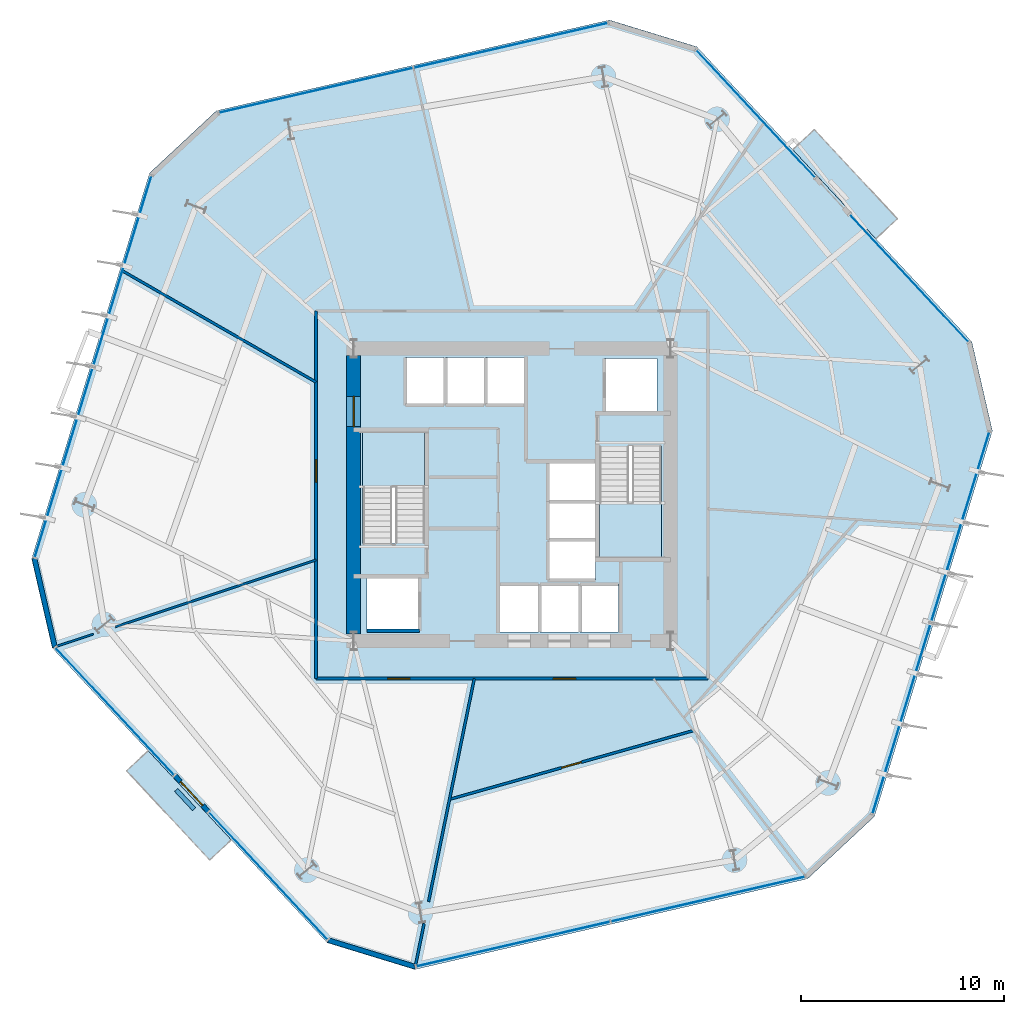
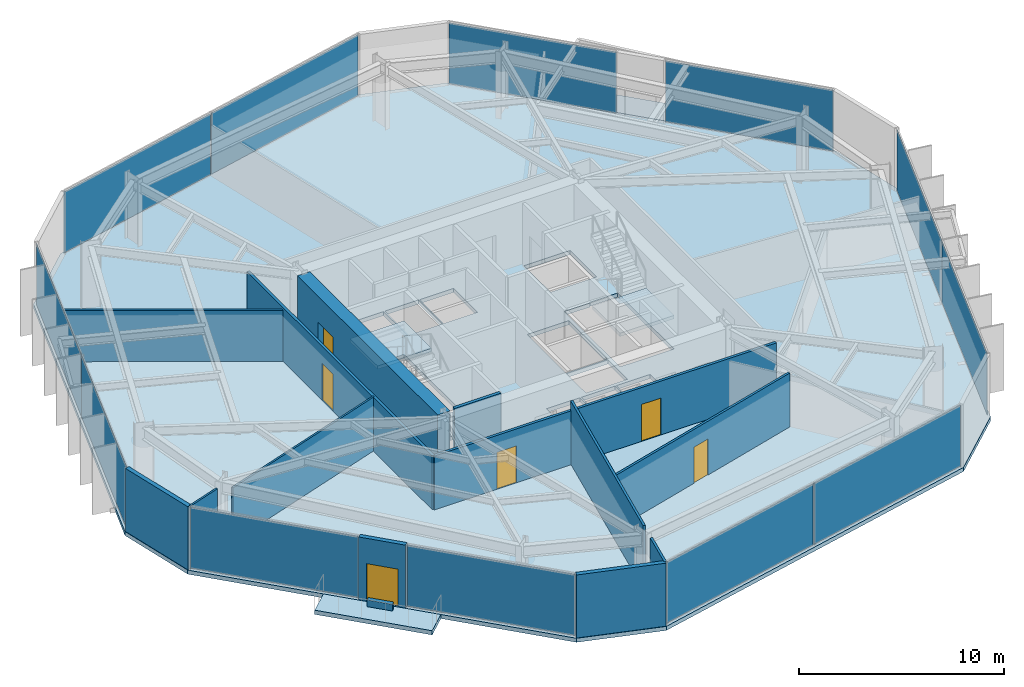
# One storey, part 5 of 10: 14 walls, 12 plates, 6 doors, 5 slabs, 6 openings, 10 elements without a shape of their own.
"""IFC4 building model written with IfcOpenShell, lengths in metres."""

from ifc_helpers import new_model, si_unit, direction, frame, frame_2d, origin, origin_2d, place, context, subcontext, project, spatial, polyline, rectangle, outline, extrude, material, layer, layer_set, type_object, element, fill, aggregate, save


model = new_model("IFC4")

# Units and contexts
model_context = context("Model", 3, precision=1e-05, world=origin(), true_north=direction((0.0, 1.0)))
body_context = subcontext(model_context, "Body", "Model", "MODEL_VIEW")
ifc_project = project(units=[si_unit("LENGTHUNIT", "METRE"), si_unit("AREAUNIT", "SQUARE_METRE"), si_unit("VOLUMEUNIT", "CUBIC_METRE"), si_unit("PLANEANGLEUNIT", "RADIAN"), si_unit("MASSUNIT", "GRAM", prefix="KILO")], contexts=[model_context])

# Site, building, storey
site_placement = place(None, origin())
site = spatial("IfcSite", under=ifc_project, at=site_placement, CompositionType="ELEMENT")
building_placement = place(site_placement, origin())
building = spatial("IfcBuilding", under=site, at=building_placement, Name="Kranzbogen Civic Tower", CompositionType="ELEMENT")
storey_placement = place(building_placement, frame((0.0, 0.0, 72.0)))
storey = spatial("IfcBuildingStorey", under=building, at=storey_placement, Name="L17", CompositionType="ELEMENT", Elevation=72.0)

# Slab
ifc_material_1 = material(Name="Concrete C40/50", Category="concrete")
ifc_layer_1 = layer(ifc_material_1, 0.239990234375, Name="Concrete C40/50")
ifc_layer_set_1 = layer_set([ifc_layer_1], Name="Concrete C40/50")
slab_type_1 = type_object("IfcSlabType", Name="Composite Lower Tower Floor Slab 240 mm", PredefinedType="FLOOR", material=ifc_layer_set_1)
slab_1_placement = place(storey_placement, frame((0.0, 0.0, -0.239990234375)))
element("IfcSlab", 1, at=slab_1_placement, inside=storey, type_object=slab_type_1, Name="L17 tower floor slab", PredefinedType="FLOOR", context=body_context, shape_type="SweptSolid", body=[
    extrude(outline(polyline([(47.64306640625, 32.537109375), (34.097900390625, 47.06201171875), (29.7939453125, 48.3779296875), (10.443115234375, 43.909912109375), (7.152099609375, 40.841064453125), (1.344970703125, 21.847900390625), (2.35693359375, 17.462890625), (15.902099609375, 2.93798828125), (20.2060546875, 1.6220703125), (39.556884765625, 6.090087890625), (42.847900390625, 9.158935546875), (48.655029296875, 28.152099609375), (47.64306640625, 32.537109375)]), holes=[polyline([(26.300048828125, 20.60009765625), (26.300048828125, 18.25), (24.39990234375, 18.25), (24.39990234375, 20.60009765625), (26.300048828125, 20.60009765625)]), polyline([(28.27490234375, 18.25), (26.375, 18.25), (26.375, 20.60009765625), (28.27490234375, 20.60009765625), (28.27490234375, 18.25)]), polyline([(20.449951171875, 18.300048828125), (17.85009765625, 18.300048828125), (17.85009765625, 20.89990234375), (20.449951171875, 20.89990234375), (20.449951171875, 18.300048828125)]), polyline([(20.699951171875, 22.659912109375), (19.25, 22.659912109375), (19.25, 22.60009765625), (17.64990234375, 22.60009765625), (17.64990234375, 28.10009765625), (20.699951171875, 28.10009765625), (20.699951171875, 22.659912109375)]), polyline([(21.64990234375, 29.39990234375), (19.75, 29.39990234375), (19.75, 31.75), (21.64990234375, 31.75), (21.64990234375, 29.39990234375)]), polyline([(23.625, 29.39990234375), (21.72509765625, 29.39990234375), (21.72509765625, 31.75), (23.625, 31.75), (23.625, 29.39990234375)]), polyline([(25.60009765625, 31.75), (25.60009765625, 29.39990234375), (23.699951171875, 29.39990234375), (23.699951171875, 31.75), (25.60009765625, 31.75)]), polyline([(30.25, 18.25), (28.35009765625, 18.25), (28.35009765625, 20.60009765625), (30.25, 20.60009765625), (30.25, 18.25)]), polyline([(29.10009765625, 20.800048828125), (26.75, 20.800048828125), (26.75, 22.699951171875), (29.10009765625, 22.699951171875), (29.10009765625, 20.800048828125)]), polyline([(26.75, 26.550048828125), (29.10009765625, 26.550048828125), (29.10009765625, 24.675048828125), (29.10009765625, 24.64990234375), (29.10009765625, 22.77490234375), (26.75, 22.77490234375), (26.75, 24.64990234375), (26.75, 24.675048828125), (26.75, 26.550048828125)]), polyline([(30.75, 27.340087890625), (30.75, 27.39990234375), (32.35009765625, 27.39990234375), (32.35009765625, 21.89990234375), (29.300048828125, 21.89990234375), (29.300048828125, 27.340087890625), (30.75, 27.340087890625)]), polyline([(32.14990234375, 29.10009765625), (29.550048828125, 29.10009765625), (29.550048828125, 31.699951171875), (32.14990234375, 31.699951171875), (32.14990234375, 29.10009765625)])]), origin(), (0.0, 0.0, 1.0), 0.239990234375),
])

# Curtain wall, plate
ifc_material_2 = material(Name="Pale Anodised Aluminium", Category="aluminium")
ifc_layer_2 = layer(ifc_material_2, 0.219970703125, Name="Pale Anodised Aluminium")
ifc_layer_set_2 = layer_set([ifc_layer_2], Name="Pale Anodised Aluminium")
curtain_wall_type = type_object("IfcCurtainWallType", Name="Zone 1 Stick Curtain Wall System CW-02", PredefinedType="USERDEFINED", material=ifc_layer_set_2)
curtain_wall_1_placement = place(storey_placement, origin())
curtain_wall_1 = element("IfcCurtainWall", 2, at=curtain_wall_1_placement, inside=storey, type_object=curtain_wall_type, Name="L17 curtain wall CW-L17-F1-S1", ObjectType="STICK CURTAIN WALL", PredefinedType="USERDEFINED")
ifc_material_3 = material(Name="Low-E Triple Glazing Glass", Category="glass")
ifc_layer_3 = layer(ifc_material_3, 0.033935546875, Name="Low-E Triple Glazing Glass")
ifc_layer_set_3 = layer_set([ifc_layer_3], Name="Low-E Triple Glazing Glass")
plate_type = type_object("IfcPlateType", Name="Insulated Low-E Glazing Panel 34 mm", PredefinedType="CURTAIN_PANEL", material=ifc_layer_set_3)
plate_1_placement = place(storey_placement, frame((44.552978515625, 35.6640625, 0.06005859375), z_axis=(0.0, 0.0, 1.0), x_axis=(-0.681997701527, 0.731354315713, 0.0)))
plate_1 = element("IfcPlate", 3, at=plate_1_placement, type_object=plate_type, Name="CW-02 panel 1.1", PredefinedType="CURTAIN_PANEL", context=body_context, shape_type="SweptSolid", body=[
    extrude(rectangle(XDim=8.551513671875, YDim=0.028076171875, at=origin_2d()), origin(), (0.0, 0.0, 1.0), 3.639892578125),
])
aggregate(curtain_wall_1, [plate_1])

curtain_wall_2_placement = place(storey_placement, origin())
curtain_wall_2 = element("IfcCurtainWall", 4, at=curtain_wall_2_placement, inside=storey, type_object=curtain_wall_type, Name="L17 curtain wall CW-L17-F1-S2", ObjectType="STICK CURTAIN WALL", PredefinedType="USERDEFINED")
plate_2_placement = place(storey_placement, frame((37.001953125, 43.761962890625, 0.06005859375), z_axis=(0.0, 0.0, 1.0), x_axis=(-0.681997701527, 0.731354315713, 0.0)))
plate_2 = element("IfcPlate", 5, at=plate_2_placement, type_object=plate_type, Name="CW-02 panel 1.1", PredefinedType="CURTAIN_PANEL", context=body_context, shape_type="SweptSolid", body=[
    extrude(rectangle(XDim=8.551513671875, YDim=0.028076171875, at=origin_2d()), origin(), (0.0, 0.0, 1.0), 3.639892578125),
])
aggregate(curtain_wall_2, [plate_2])

# Curtain wall, plates
curtain_wall_3_placement = place(storey_placement, origin())
curtain_wall_3 = element("IfcCurtainWall", 6, at=curtain_wall_3_placement, inside=storey, type_object=curtain_wall_type, Name="L17 curtain wall CW-L17-F2", ObjectType="STICK CURTAIN WALL", PredefinedType="USERDEFINED")
plate_3_placement = place(storey_placement, frame((24.94189453125, 47.127197265625, 0.06005859375), z_axis=(0.0, 0.0, 1.0), x_axis=(-0.974363872797, -0.224977873109, 0.0)))
plate_3 = element("IfcPlate", 7, at=plate_3_placement, type_object=plate_type, Name="CW-02 panel 1.1", PredefinedType="CURTAIN_PANEL", context=body_context, shape_type="SweptSolid", body=[
    extrude(rectangle(XDim=9.781982421875, YDim=0.028076171875, at=origin_2d()), origin(), (0.0, 0.0, 1.0), 3.639892578125),
])
plate_4_placement = place(storey_placement, frame((15.35205078125, 44.912841796875, 0.06005859375), z_axis=(0.0, 0.0, 1.0), x_axis=(-0.974363872797, -0.224977873109, 0.0)))
plate_4 = element("IfcPlate", 8, at=plate_4_placement, type_object=plate_type, Name="CW-02 panel 2.1", PredefinedType="CURTAIN_PANEL", context=body_context, shape_type="SweptSolid", body=[
    extrude(rectangle(XDim=9.781982421875, YDim=0.028076171875, at=origin_2d()), origin(), (0.0, 0.0, 1.0), 3.639892578125),
])
aggregate(curtain_wall_3, [plate_3, plate_4])

curtain_wall_4_placement = place(storey_placement, origin())
curtain_wall_4 = element("IfcCurtainWall", 9, at=curtain_wall_4_placement, inside=storey, type_object=curtain_wall_type, Name="L17 curtain wall CW-L17-F3", ObjectType="STICK CURTAIN WALL", PredefinedType="USERDEFINED")
plate_5_placement = place(storey_placement, frame((5.809326171875, 36.01318359375, 0.06005859375), z_axis=(0.0, 0.0, 1.0), x_axis=(-0.292380656499, -0.956302019085, 0.0)))
plate_5 = element("IfcPlate", 10, at=plate_5_placement, type_object=plate_type, Name="CW-02 panel 1.1", PredefinedType="CURTAIN_PANEL", context=body_context, shape_type="SweptSolid", body=[
    extrude(rectangle(XDim=9.782470703125, YDim=0.028076171875, at=origin_2d()), origin(), (0.0, 0.0, 1.0), 3.639892578125),
])
plate_6_placement = place(storey_placement, frame((2.931640625, 26.600830078125, 0.06005859375), z_axis=(0.0, 0.0, 1.0), x_axis=(-0.292380656499, -0.956302019085, 0.0)))
plate_6 = element("IfcPlate", 11, at=plate_6_placement, type_object=plate_type, Name="CW-02 panel 2.1", PredefinedType="CURTAIN_PANEL", context=body_context, shape_type="SweptSolid", body=[
    extrude(rectangle(XDim=9.782470703125, YDim=0.028076171875, at=origin_2d()), origin(), (0.0, 0.0, 1.0), 3.639892578125),
])
aggregate(curtain_wall_4, [plate_5, plate_6])

# Curtain wall, plate
curtain_wall_5_placement = place(storey_placement, origin())
curtain_wall_5 = element("IfcCurtainWall", 12, at=curtain_wall_5_placement, inside=storey, type_object=curtain_wall_type, Name="L17 curtain wall CW-L17-F4-S1", ObjectType="STICK CURTAIN WALL", PredefinedType="USERDEFINED")
plate_7_placement = place(storey_placement, frame((5.447021484375, 14.3359375, 0.06005859375), z_axis=(0.0, 0.0, 1.0), x_axis=(0.681997701527, -0.731354315713, 0.0)))
plate_7 = element("IfcPlate", 13, at=plate_7_placement, type_object=plate_type, Name="CW-02 panel 1.1", PredefinedType="CURTAIN_PANEL", context=body_context, shape_type="SweptSolid", body=[
    extrude(rectangle(XDim=8.551513671875, YDim=0.028076171875, at=origin_2d()), origin(), (0.0, 0.0, 1.0), 3.639892578125),
])
aggregate(curtain_wall_5, [plate_7])

curtain_wall_6_placement = place(storey_placement, origin())
curtain_wall_6 = element("IfcCurtainWall", 14, at=curtain_wall_6_placement, inside=storey, type_object=curtain_wall_type, Name="L17 curtain wall CW-L17-F4-S2", ObjectType="STICK CURTAIN WALL", PredefinedType="USERDEFINED")
plate_8_placement = place(storey_placement, frame((12.998046875, 6.238037109375, 0.06005859375), z_axis=(0.0, 0.0, 1.0), x_axis=(0.681997701527, -0.731354315713, 0.0)))
plate_8 = element("IfcPlate", 15, at=plate_8_placement, type_object=plate_type, Name="CW-02 panel 1.1", PredefinedType="CURTAIN_PANEL", context=body_context, shape_type="SweptSolid", body=[
    extrude(rectangle(XDim=8.551513671875, YDim=0.028076171875, at=origin_2d()), origin(), (0.0, 0.0, 1.0), 3.639892578125),
])
aggregate(curtain_wall_6, [plate_8])

# Curtain wall, plates
curtain_wall_7_placement = place(storey_placement, origin())
curtain_wall_7 = element("IfcCurtainWall", 16, at=curtain_wall_7_placement, inside=storey, type_object=curtain_wall_type, Name="L17 curtain wall CW-L17-F5", ObjectType="STICK CURTAIN WALL", PredefinedType="USERDEFINED")
plate_9_placement = place(storey_placement, frame((25.05810546875, 2.872802734375, 0.06005859375), z_axis=(0.0, 0.0, 1.0), x_axis=(0.974363872797, 0.224977873109, 0.0)))
plate_9 = element("IfcPlate", 17, at=plate_9_placement, type_object=plate_type, Name="CW-02 panel 1.1", PredefinedType="CURTAIN_PANEL", context=body_context, shape_type="SweptSolid", body=[
    extrude(rectangle(XDim=9.781982421875, YDim=0.028076171875, at=origin_2d()), origin(), (0.0, 0.0, 1.0), 3.639892578125),
])
plate_10_placement = place(storey_placement, frame((34.64794921875, 5.087158203125, 0.06005859375), z_axis=(0.0, 0.0, 1.0), x_axis=(0.974363872797, 0.224977873109, 0.0)))
plate_10 = element("IfcPlate", 18, at=plate_10_placement, type_object=plate_type, Name="CW-02 panel 2.1", PredefinedType="CURTAIN_PANEL", context=body_context, shape_type="SweptSolid", body=[
    extrude(rectangle(XDim=9.781982421875, YDim=0.028076171875, at=origin_2d()), origin(), (0.0, 0.0, 1.0), 3.639892578125),
])
aggregate(curtain_wall_7, [plate_9, plate_10])

curtain_wall_8_placement = place(storey_placement, origin())
curtain_wall_8 = element("IfcCurtainWall", 19, at=curtain_wall_8_placement, inside=storey, type_object=curtain_wall_type, Name="L17 curtain wall CW-L17-F6", ObjectType="STICK CURTAIN WALL", PredefinedType="USERDEFINED")
plate_11_placement = place(storey_placement, frame((44.190673828125, 13.98681640625, 0.06005859375), z_axis=(0.0, 0.0, 1.0), x_axis=(0.292380656499, 0.956302019085, 0.0)))
plate_11 = element("IfcPlate", 20, at=plate_11_placement, type_object=plate_type, Name="CW-02 panel 1.1", PredefinedType="CURTAIN_PANEL", context=body_context, shape_type="SweptSolid", body=[
    extrude(rectangle(XDim=9.782470703125, YDim=0.028076171875, at=origin_2d()), origin(), (0.0, 0.0, 1.0), 3.639892578125),
])
plate_12_placement = place(storey_placement, frame((47.068359375, 23.399169921875, 0.06005859375), z_axis=(0.0, 0.0, 1.0), x_axis=(0.292380656499, 0.956302019085, 0.0)))
plate_12 = element("IfcPlate", 21, at=plate_12_placement, type_object=plate_type, Name="CW-02 panel 2.1", PredefinedType="CURTAIN_PANEL", context=body_context, shape_type="SweptSolid", body=[
    extrude(rectangle(XDim=9.782470703125, YDim=0.028076171875, at=origin_2d()), origin(), (0.0, 0.0, 1.0), 3.639892578125),
])
aggregate(curtain_wall_8, [plate_11, plate_12])

# Stair, slab
ifc_material_4 = material(Name="Precast concrete C40/50", Category="concrete")
stair_type_1 = type_object("IfcStairType", Name="Tower Core Pressurized Dogleg Stair 1450", PredefinedType="HALF_TURN_STAIR", material=ifc_material_4)
stair_1_placement = place(storey_placement, origin())
stair_1 = element("IfcStair", 22, at=stair_1_placement, inside=storey, type_object=stair_type_1, Name="L17 Tower Core Pressurized Stair 1", PredefinedType="HALF_TURN_STAIR")
ifc_layer_4 = layer(ifc_material_4, 0.199951171875, Name="Precast concrete C40/50")
ifc_layer_set_4 = layer_set([ifc_layer_4], Name="Precast concrete C40/50")
slab_type_2 = type_object("IfcSlabType", Name="Precast Concrete Stair Landing Slab 200 mm", PredefinedType="LANDING", material=ifc_layer_set_4)
slab_2_placement = place(storey_placement, frame((0.0, 0.0, 1.800048828125)))
slab_2 = element("IfcSlab", 23, at=slab_2_placement, type_object=slab_type_2, Name="ST-T1 landing 1", PredefinedType="LANDING", context=body_context, shape_type="SweptSolid", body=[
    extrude(outline(polyline([(20.699951171875, 25.39990234375), (20.699951171875, 28.10009765625), (17.64990234375, 28.10009765625), (17.64990234375, 25.39990234375), (20.699951171875, 25.39990234375)])), origin(), (0.0, 0.0, 1.0), 0.199951171875),
])
aggregate(stair_1, [slab_2])

stair_type_2 = type_object("IfcStairType", Name="Tower Core Secondary Dogleg Stair 1450", PredefinedType="HALF_TURN_STAIR", material=ifc_material_4)
stair_2_placement = place(storey_placement, origin())
stair_2 = element("IfcStair", 24, at=stair_2_placement, inside=storey, type_object=stair_type_2, Name="L17 Tower Core Pressurized Stair 2", PredefinedType="HALF_TURN_STAIR")
slab_3_placement = place(storey_placement, frame((0.0, 0.0, 1.800048828125)))
slab_3 = element("IfcSlab", 25, at=slab_3_placement, type_object=slab_type_2, Name="ST-T2 landing 1", PredefinedType="LANDING", context=body_context, shape_type="SweptSolid", body=[
    extrude(outline(polyline([(29.300048828125, 24.60009765625), (29.300048828125, 21.89990234375), (32.35009765625, 21.89990234375), (32.35009765625, 24.60009765625), (29.300048828125, 24.60009765625)])), origin(), (0.0, 0.0, 1.0), 0.199951171875),
])
aggregate(stair_2, [slab_3])

# Slabs
ifc_layer_5 = layer(ifc_material_1, 0.25, Name="Concrete C40/50")
ifc_layer_set_5 = layer_set([ifc_layer_5], Name="Concrete C40/50")
slab_type_3 = type_object("IfcSlabType", Name="Tree Balcony Cantilevered Slab 250 mm", PredefinedType="FLOOR", material=ifc_layer_set_5)
slab_4_placement = place(storey_placement, frame((0.0, 0.0, -0.25)))
element("IfcSlab", 26, at=slab_4_placement, inside=storey, type_object=slab_type_3, Name="L17 cantilevered tree balcony L17-TB1", PredefinedType="FLOOR", context=body_context, shape_type="SweptSolid", body=[
    extrude(outline(polyline([(7.083984375, 12.39501953125), (11.176025390625, 8.007080078125), (10.115966796875, 7.01806640625), (6.02392578125, 11.406005859375), (7.083984375, 12.39501953125)])), origin(), (0.0, 0.0, 1.0), 0.25),
])
slab_5_placement = place(storey_placement, frame((0.0, 0.0, -0.25)))
element("IfcSlab", 27, at=slab_5_placement, inside=storey, type_object=slab_type_3, Name="L17 cantilevered tree balcony L17-TB2", PredefinedType="FLOOR", context=body_context, shape_type="SweptSolid", body=[
    extrude(outline(polyline([(42.916015625, 37.60498046875), (38.823974609375, 41.992919921875), (39.884033203125, 42.98193359375), (43.97607421875, 38.593994140625), (42.916015625, 37.60498046875)])), origin(), (0.0, 0.0, 1.0), 0.25),
])

# Wall, openings, doors
ifc_material_5 = material(Name="Double-Stud Acoustic Gypsum Partition")
ifc_layer_6 = layer(ifc_material_5, 0.14990234375, Name="Double-Stud Acoustic Gypsum Partition")
ifc_layer_set_6 = layer_set([ifc_layer_6], Name="Double-Stud Acoustic Gypsum Partition")
wall_type_1 = type_object("IfcWallType", Name="Acoustic Corridor and Clinical Partition 150 mm", PredefinedType="PARTITIONING", material=ifc_layer_set_6)
wall_1_placement = place(storey_placement, frame((34.64990234375, 15.949951171875, 0.0), z_axis=(0.0, 0.0, 1.0), x_axis=(-1.0, 0.0, 0.0)))
wall_1 = element("IfcWall", 28, at=wall_1_placement, inside=storey, type_object=wall_type_1, Name="L17 corridor partition 03", PredefinedType="PARTITIONING", context=body_context, shape_type="SweptSolid", body=[
    extrude(rectangle(XDim=19.2998046875, YDim=0.14990234375, at=frame_2d((9.64990234375, 0.0))), origin(), (0.0, 0.0, 1.0), 3.2099609375),
])
opening_1_placement = place(wall_1_placement, frame((14.677001953125, 0.0, 0.0)))
opening_1 = element("IfcOpeningElement", 29, at=opening_1_placement, cuts=wall_1, Name="Opening D-COR60", PredefinedType="OPENING", context=body_context, shape_type="SweptSolid", body=[
    extrude(rectangle(XDim=1.10009765625, YDim=2.199951171875, at=frame_2d((0.550048828125, 1.10009765625))), frame((0.0, 0.0849609375, 0.0), z_axis=(0.0, -1.0, 0.0), x_axis=(1.0, 0.0, 0.0)), (0.0, 0.0, 1.0), 0.169921875),
])
opening_2_placement = place(wall_1_placement, frame((6.51806640625, 0.0, 0.0)))
opening_2 = element("IfcOpeningElement", 30, at=opening_2_placement, cuts=wall_1, Name="Opening D-COR60", PredefinedType="OPENING", context=body_context, shape_type="SweptSolid", body=[
    extrude(rectangle(XDim=1.10009765625, YDim=2.199951171875, at=frame_2d((0.550048828125, 1.10009765625))), frame((0.0, 0.0849609375, 0.0), z_axis=(0.0, -1.0, 0.0), x_axis=(1.0, 0.0, 0.0)), (0.0, 0.0, 1.0), 0.169921875),
])
ifc_material_6 = material(Name="Oak Timber and Fire Core", Category="wood")
door_type_1 = type_object("IfcDoorType", Name="Corridor Acoustic Fire Door 1100x2200", OperationType="NOTDEFINED", PredefinedType="DOOR", material=ifc_material_6)
door_1_placement = place(opening_1_placement, origin())
door_1 = element("IfcDoor", 31, at=door_1_placement, inside=storey, type_object=door_type_1, Name="L17 Visitor Concierge Foyer door", OperationType="SINGLE_SWING_LEFT", OverallHeight=2.199951171875, OverallWidth=1.10009765625, PredefinedType="DOOR", context=body_context, shape_type="SweptSolid", body=[
    extrude(rectangle(XDim=1.10009765625, YDim=2.199951171875, at=frame_2d((0.550048828125, 1.10009765625))), frame((0.0, 0.02490234375, 0.0), z_axis=(0.0, -1.0, 0.0), x_axis=(1.0, 0.0, 0.0)), (0.0, 0.0, 1.0), 0.050048828125),
])
fill(opening_1, door_1)
door_2_placement = place(opening_2_placement, origin())
door_2 = element("IfcDoor", 32, at=door_2_placement, inside=storey, type_object=door_type_1, Name="L17 Directorate Admin Workspace door", OperationType="SINGLE_SWING_RIGHT", OverallHeight=2.199951171875, OverallWidth=1.10009765625, PredefinedType="DOOR", context=body_context, shape_type="SweptSolid", body=[
    extrude(rectangle(XDim=1.10009765625, YDim=2.199951171875, at=frame_2d((0.550048828125, 1.10009765625))), frame((0.0, 0.02490234375, 0.0), z_axis=(0.0, -1.0, 0.0), x_axis=(1.0, 0.0, 0.0)), (0.0, 0.0, 1.0), 0.050048828125),
])
fill(opening_2, door_2)

# Wall, opening, door
wall_2_placement = place(storey_placement, frame((15.35009765625, 15.949951171875, 0.0), z_axis=(0.0, 0.0, 1.0), x_axis=(0.0, 1.0, 0.0)))
wall_2 = element("IfcWall", 33, at=wall_2_placement, inside=storey, type_object=wall_type_1, Name="L17 corridor partition 04", PredefinedType="PARTITIONING", context=body_context, shape_type="SweptSolid", body=[
    extrude(rectangle(XDim=18.10009765625, YDim=0.14990234375, at=frame_2d((9.050048828125, 0.0))), origin(), (0.0, 0.0, 1.0), 3.2099609375),
])
opening_3_placement = place(wall_2_placement, frame((9.677978515625, 0.0, 0.0)))
opening_3 = element("IfcOpeningElement", 34, at=opening_3_placement, cuts=wall_2, Name="Opening D-COR60", PredefinedType="OPENING", context=body_context, shape_type="SweptSolid", body=[
    extrude(rectangle(XDim=1.10009765625, YDim=2.199951171875, at=frame_2d((0.550048828125, 1.10009765625))), frame((0.0, 0.0849609375, 0.0), z_axis=(0.0, -1.0, 0.0), x_axis=(1.0, 0.0, 0.0)), (0.0, 0.0, 1.0), 0.169921875),
])
door_3_placement = place(opening_3_placement, origin())
door_3 = element("IfcDoor", 35, at=door_3_placement, inside=storey, type_object=door_type_1, Name="L17 Civic Reference Library door", OperationType="SINGLE_SWING_LEFT", OverallHeight=2.199951171875, OverallWidth=1.10009765625, PredefinedType="DOOR", context=body_context, shape_type="SweptSolid", body=[
    extrude(rectangle(XDim=1.10009765625, YDim=2.199951171875, at=frame_2d((0.550048828125, 1.10009765625))), frame((0.0, 0.02490234375, 0.0), z_axis=(0.0, -1.0, 0.0), x_axis=(1.0, 0.0, 0.0)), (0.0, 0.0, 1.0), 0.050048828125),
])
fill(opening_3, door_3)

# Walls
ifc_material_7 = material(Name="Insulated Metal-Stud Gypsum Partition")
ifc_layer_7 = layer(ifc_material_7, 0.125, Name="Insulated Metal-Stud Gypsum Partition")
ifc_layer_set_7 = layer_set([ifc_layer_7], Name="Insulated Metal-Stud Gypsum Partition")
wall_type_2 = type_object("IfcWallType", Name="Acoustic Inter-Room Partition 125 mm", PredefinedType="PARTITIONING", material=ifc_layer_set_7)
wall_3_placement = place(storey_placement, frame((15.35009765625, 30.5458984375, 0.0), z_axis=(0.0, 0.0, 1.0), x_axis=(-0.866962496214, 0.498373384279, 0.0)))
element("IfcWall", 36, at=wall_3_placement, inside=storey, type_object=wall_type_2, Name="L17 radial room partition 03", PredefinedType="PARTITIONING", context=body_context, shape_type="SweptSolid", body=[
    extrude(rectangle(XDim=10.98193359375, YDim=0.125, at=frame_2d((5.490966796875, 0.0))), origin(), (0.0, 0.0, 1.0), 3.050048828125),
])
wall_4_placement = place(storey_placement, frame((23.14404296875, 15.949951171875, 0.0), z_axis=(0.0, 0.0, 1.0), x_axis=(-0.200894861911, -0.979612808439, 0.0)))
element("IfcWall", 37, at=wall_4_placement, inside=storey, type_object=wall_type_2, Name="L17 radial room partition 05 part 1", PredefinedType="PARTITIONING", context=body_context, shape_type="SweptSolid", body=[
    extrude(rectangle(XDim=11.21435546875, YDim=0.125, at=frame_2d((5.607177734375, 0.0))), origin(), (0.0, 0.0, 1.0), 3.760009765625),
])
wall_5_placement = place(storey_placement, frame((20.669921875, 3.884033203125, 0.0), z_axis=(0.0, 0.0, 1.0), x_axis=(-0.200896639603, -0.979612443876, 0.0)))
element("IfcWall", 38, at=wall_5_placement, inside=storey, type_object=wall_type_2, Name="L17 radial room partition 05 part 2", PredefinedType="PARTITIONING", context=body_context, shape_type="SweptSolid", body=[
    extrude(rectangle(XDim=2.14990234375, YDim=0.125, at=frame_2d((1.074951171875, 0.0))), origin(), (0.0, 0.0, 1.0), 3.760009765625),
])

# Wall, opening, door
wall_6_placement = place(storey_placement, frame((21.94091796875, 10.008056640625, 0.0), z_axis=(0.0, 0.0, 1.0), x_axis=(0.962504966676, 0.271264057928, 0.0)))
wall_6 = element("IfcWall", 39, at=wall_6_placement, inside=storey, type_object=wall_type_2, Name="L17 suite chord partition 01", PredefinedType="PARTITIONING", context=body_context, shape_type="SweptSolid", body=[
    extrude(rectangle(XDim=12.448974609375, YDim=0.125, at=frame_2d((6.224609375, 0.0))), origin(), (0.0, 0.0, 1.0), 3.2099609375),
])
opening_4_placement = place(wall_6_placement, frame((5.72412109375, 0.0, 0.0)))
opening_4 = element("IfcOpeningElement", 40, at=opening_4_placement, cuts=wall_6, Name="Opening D-OFC10", PredefinedType="OPENING", context=body_context, shape_type="SweptSolid", body=[
    extrude(rectangle(XDim=1.0, YDim=2.14990234375, at=frame_2d((0.5, 1.074951171875))), frame((0.0, 0.072509765625, 0.0), z_axis=(0.0, -1.0, 0.0), x_axis=(1.0, 0.0, 0.0)), (0.0, 0.0, 1.0), 0.14501953125),
])
ifc_material_8 = material(Name="Oak Timber Veneer", Category="wood")
door_type_2 = type_object("IfcDoorType", Name="Standard Office Acoustic Door 1000x2150", OperationType="NOTDEFINED", PredefinedType="DOOR", material=ifc_material_8)
door_4_placement = place(opening_4_placement, origin())
door_4 = element("IfcDoor", 41, at=door_4_placement, inside=storey, type_object=door_type_2, Name="L17 Legal Counsel Office door", OperationType="SINGLE_SWING_LEFT", OverallHeight=2.14990234375, OverallWidth=1.0, PredefinedType="DOOR", context=body_context, shape_type="SweptSolid", body=[
    extrude(rectangle(XDim=1.0, YDim=2.14990234375, at=frame_2d((0.5, 1.074951171875))), frame((0.0, 0.02490234375, 0.0), z_axis=(0.0, -1.0, 0.0), x_axis=(1.0, 0.0, 0.0)), (0.0, 0.0, 1.0), 0.050048828125),
])
fill(opening_4, door_4)

# Wall
ifc_material_9 = material(Name="Architectural Precast Terracotta Concrete C40/50", Category="masonry")
ifc_layer_8 = layer(ifc_material_9, 0.219970703125, Name="Architectural Precast Terracotta Concrete C40/50")
ifc_layer_set_8 = layer_set([ifc_layer_8], Name="Architectural Precast Terracotta Concrete C40/50")
wall_type_3 = type_object("IfcWallType", Name="Architectural Tree Planter Kerb Wall 220 mm", PredefinedType="USERDEFINED", material=ifc_layer_set_8)
wall_7_placement = place(storey_placement, frame((8.464111328125, 10.468017578125, 0.0), z_axis=(0.0, 0.0, 1.0), x_axis=(0.682057046315, -0.731298971401, 0.0)))
element("IfcWall", 42, at=wall_7_placement, inside=storey, type_object=wall_type_3, Name="L17 landscaped tree balcony planter L17-TB1", ObjectType="PLANTER_WALL", PredefinedType="USERDEFINED", context=body_context, shape_type="SweptSolid", body=[
    extrude(rectangle(XDim=1.299072265625, YDim=0.219970703125, at=frame_2d((0.6494140625, 0.0))), origin(), (0.0, 0.0, 1.0), 0.39990234375),
])

# Wall, opening, door
ifc_material_10 = material(Name="Concrete C55/67", Category="concrete")
ifc_layer_9 = layer(ifc_material_10, 0.699951171875, Name="Concrete C55/67")
ifc_layer_set_9 = layer_set([ifc_layer_9], Name="Concrete C55/67")
wall_type_4 = type_object("IfcWallType", Name="Central Core Shear Wall 700 mm", PredefinedType="SHEAR", material=ifc_layer_set_9)
wall_8_placement = place(storey_placement, frame((17.199951171875, 31.85009765625, 0.0), z_axis=(0.0, 0.0, 1.0), x_axis=(0.0, -1.0, 0.0)))
wall_8 = element("IfcWall", 43, at=wall_8_placement, inside=storey, type_object=wall_type_4, Name="L17 central core West shear wall", PredefinedType="SHEAR", context=body_context, shape_type="SweptSolid", body=[
    extrude(rectangle(XDim=13.7001953125, YDim=0.699951171875, at=frame_2d((6.85009765625, 0.0))), origin(), (0.0, 0.0, 1.0), 3.760009765625),
])
opening_5_placement = place(wall_8_placement, frame((2.0, 0.0, 0.0)))
opening_5 = element("IfcOpeningElement", 44, at=opening_5_placement, cuts=wall_8, Name="Opening D-DBL15", PredefinedType="OPENING", context=body_context, shape_type="SweptSolid", body=[
    extrude(rectangle(XDim=1.5, YDim=2.199951171875, at=frame_2d((0.75, 1.10009765625))), frame((0.0, 0.35986328125, 0.0), z_axis=(0.0, -1.0, 0.0), x_axis=(1.0, 0.0, 0.0)), (0.0, 0.0, 1.0), 0.719970703125),
])
ifc_material_11 = material(Name="Anodised Bronze and Glass", Category="glass")
door_type_3 = type_object("IfcDoorType", Name="Civic Lobby Double Door 1500x2200", OperationType="DOUBLE_DOOR_SINGLE_SWING", PredefinedType="DOOR", material=ifc_material_11)
door_5_placement = place(opening_5_placement, origin())
door_5 = element("IfcDoor", 45, at=door_5_placement, inside=storey, type_object=door_type_3, Name="L17 Central Lift Lobby West concourse door", OperationType="DOUBLE_DOOR_SINGLE_SWING", OverallHeight=2.199951171875, OverallWidth=1.5, PredefinedType="DOOR", context=body_context, shape_type="SweptSolid", body=[
    extrude(rectangle(XDim=1.5, YDim=2.199951171875, at=frame_2d((0.75, 1.10009765625))), frame((0.0, 0.02490234375, 0.0), z_axis=(0.0, -1.0, 0.0), x_axis=(1.0, 0.0, 0.0)), (0.0, 0.0, 1.0), 0.050048828125),
])
fill(opening_5, door_5)

# Walls
ifc_material_12 = material(Name="Demountable Aluminium and Gypsum Partition", Category="aluminium")
ifc_layer_10 = layer(ifc_material_12, 0.10009765625, Name="Demountable Aluminium and Gypsum Partition")
ifc_layer_set_10 = layer_set([ifc_layer_10], Name="Demountable Aluminium and Gypsum Partition")
wall_type_5 = type_object("IfcWallType", Name="Demountable Office Partition 100 mm", PredefinedType="MOVABLE", material=ifc_layer_set_10)
wall_9_placement = place(storey_placement, frame((15.35009765625, 21.7880859375, 0.0), z_axis=(0.0, 0.0, 1.0), x_axis=(-0.948798093557, -0.315883170906, 0.0)))
element("IfcWall", 46, at=wall_9_placement, inside=storey, type_object=wall_type_5, Name="L17 radial room partition 04 part 1", PredefinedType="MOVABLE", context=body_context, shape_type="SweptSolid", body=[
    extrude(rectangle(XDim=10.415283203125, YDim=0.10009765625, at=frame_2d((5.20751953125, 0.0))), origin(), (0.0, 0.0, 1.0), 3.2099609375),
])
wall_10_placement = place(storey_placement, frame((4.387939453125, 18.138916015625, 0.0), z_axis=(0.0, 0.0, 1.0), x_axis=(-0.948781826694, -0.315932026447, 0.0)))
element("IfcWall", 47, at=wall_10_placement, inside=storey, type_object=wall_type_5, Name="L17 radial room partition 04 part 2", PredefinedType="MOVABLE", context=body_context, shape_type="SweptSolid", body=[
    extrude(rectangle(XDim=1.9814453125, YDim=0.10009765625, at=frame_2d((0.99072265625, 0.0))), origin(), (0.0, 0.0, 1.0), 3.760009765625),
])
ifc_material_13 = material(Name="Gypsum Fireboard Shaftliner")
ifc_layer_11 = layer(ifc_material_13, 0.175048828125, Name="Gypsum Fireboard Shaftliner")
ifc_layer_set_11 = layer_set([ifc_layer_11], Name="Gypsum Fireboard Shaftliner")
wall_type_6 = type_object("IfcWallType", Name="Fire-Rated Lift and Service Shaft Wall 175 mm", PredefinedType="PARTITIONING", material=ifc_layer_set_11)
wall_11_placement = place(storey_placement, frame((17.85009765625, 18.300048828125, 0.0), z_axis=(0.0, 0.0, 1.0), x_axis=(1.0, 0.0, 0.0)))
element("IfcWall", 48, at=wall_11_placement, inside=storey, type_object=wall_type_6, Name="L17 lift FF-01 side wall", PredefinedType="PARTITIONING", context=body_context, shape_type="SweptSolid", body=[
    extrude(rectangle(XDim=2.599853515625, YDim=0.175048828125, at=frame_2d((1.2998046875, 0.0))), origin(), (0.0, 0.0, 1.0), 3.760009765625),
])
ifc_layer_12 = layer(ifc_material_2, 0.239990234375, Name="Pale Anodised Aluminium")
ifc_layer_set_12 = layer_set([ifc_layer_12], Name="Pale Anodised Aluminium")
wall_type_7 = type_object("IfcWallType", Name="Insulated Aluminium Facade Portal Wall 240 mm", PredefinedType="STANDARD", material=ifc_layer_set_12)
wall_12_placement = place(storey_placement, frame((1.48388671875, 21.865966796875, 0.0), z_axis=(0.0, 0.0, 1.0), x_axis=(0.224903350388, -0.974381076881, 0.0)))
element("IfcWall", 49, at=wall_12_placement, inside=storey, type_object=wall_type_7, Name="L17 chamfered corner facade spandrel 3", PredefinedType="STANDARD", context=body_context, shape_type="SweptSolid", body=[
    extrude(rectangle(XDim=4.473388671875, YDim=0.239990234375, at=frame_2d((2.23681640625, 0.0))), origin(), (0.0, 0.0, 1.0), 3.760009765625),
])

# Wall, opening, door
wall_13_placement = place(storey_placement, frame((8.404052734375, 11.1650390625, 0.0), z_axis=(0.0, 0.0, 1.0), x_axis=(0.681857956093, -0.731484605246, 0.0)))
wall_13 = element("IfcWall", 50, at=wall_13_placement, inside=storey, type_object=wall_type_7, Name="L17 exterior entrance portal wall 1", PredefinedType="STANDARD", context=body_context, shape_type="SweptSolid", body=[
    extrude(rectangle(XDim=2.400634765625, YDim=0.239990234375, at=frame_2d((1.2001953125, 0.0))), origin(), (0.0, 0.0, 1.0), 3.760009765625),
])
opening_6_placement = place(wall_13_placement, frame((0.39990234375, 0.0, 0.0)))
opening_6 = element("IfcOpeningElement", 51, at=opening_6_placement, cuts=wall_13, Name="Opening D-TER", PredefinedType="OPENING", context=body_context, shape_type="SweptSolid", body=[
    extrude(rectangle(XDim=1.60009765625, YDim=2.25, at=frame_2d((0.800048828125, 1.125))), frame((0.0, 0.1298828125, 0.0), z_axis=(0.0, -1.0, 0.0), x_axis=(1.0, 0.0, 0.0)), (0.0, 0.0, 1.0), 0.260009765625),
])
ifc_material_14 = material(Name="Anodised Bronze and Triple Glass", Category="glass")
door_type_4 = type_object("IfcDoorType", Name="Glazed Terrace and Balcony Double Door 1600x2250", OperationType="DOUBLE_DOOR_SINGLE_SWING", PredefinedType="DOOR", material=ifc_material_14)
door_6_placement = place(opening_6_placement, frame((1.60009765625, 0.0, 0.0), z_axis=(0.0, 0.0, 1.0), x_axis=(-1.0, 0.0, 0.0)))
door_6 = element("IfcDoor", 52, at=door_6_placement, inside=storey, type_object=door_type_4, Name="L17 tree balcony access door L17-TB1", OperationType="DOUBLE_DOOR_SINGLE_SWING", OverallHeight=2.25, OverallWidth=1.60009765625, PredefinedType="DOOR", context=body_context, shape_type="SweptSolid", body=[
    extrude(rectangle(XDim=1.60009765625, YDim=2.25, at=frame_2d((0.800048828125, 1.125))), frame((0.0, 0.02490234375, 0.0), z_axis=(0.0, -1.0, 0.0), x_axis=(1.0, 0.0, 0.0)), (0.0, 0.0, 1.0), 0.050048828125),
])
fill(opening_6, door_6)

# Wall
wall_14_placement = place(storey_placement, frame((15.955078125, 3.06689453125, 0.0), z_axis=(0.0, 0.0, 1.0), x_axis=(0.956323609786, -0.292310029535, 0.0)))
element("IfcWall", 53, at=wall_14_placement, inside=storey, type_object=wall_type_7, Name="L17 chamfered corner facade spandrel 4", PredefinedType="STANDARD", context=body_context, shape_type="SweptSolid", body=[
    extrude(rectangle(XDim=4.47412109375, YDim=0.239990234375, at=frame_2d((2.237060546875, 0.0))), origin(), (0.0, 0.0, 1.0), 3.760009765625),
])

save(model, "model.ifc")
